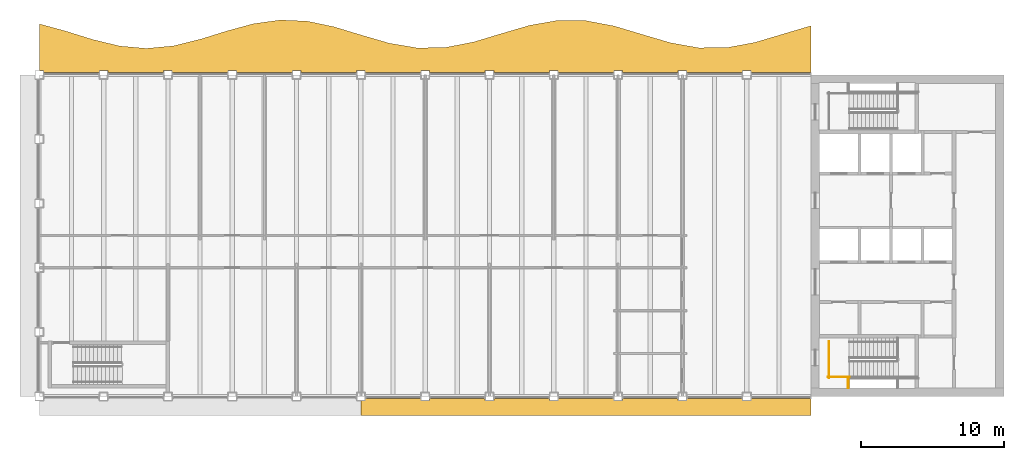
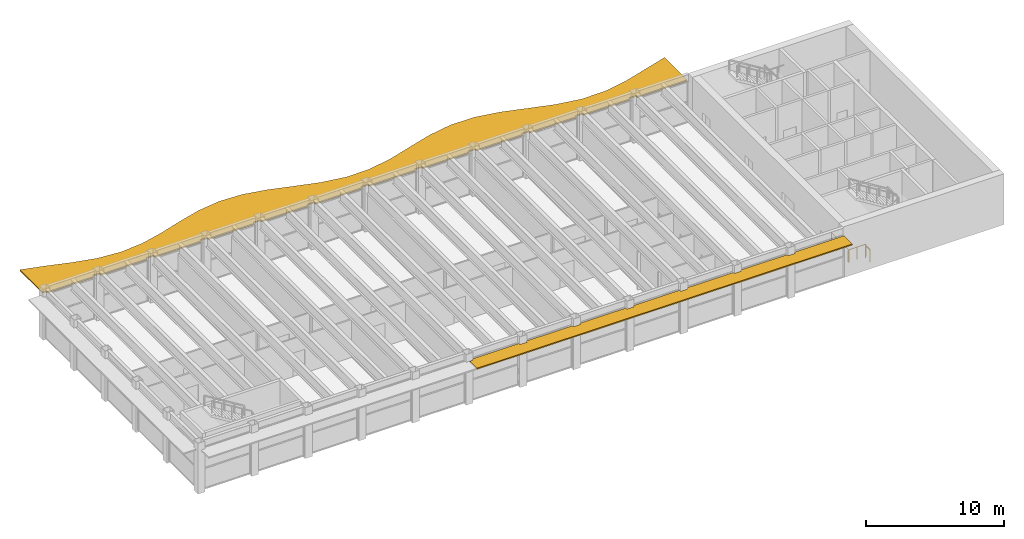
# One storey, part 13 of 14: 3 railings, 2 shading devices.
"""IFC4 building model written with IfcOpenShell, lengths in metres."""

from ifc_helpers import new_model, si_unit, direction, frame, origin, origin_2d, place, context, subcontext, project, spatial, polyline, rectangle, outline, extrude, material, layer, layer_set, type_object, element, save


model = new_model("IFC4")

# Units and contexts
model_context = context("Model", 3, precision=1e-05, world=origin(), true_north=direction((0.0, 1.0)))
body_context = subcontext(model_context, "Body", "Model", "MODEL_VIEW")
ifc_project = project(units=[si_unit("LENGTHUNIT", "METRE"), si_unit("AREAUNIT", "SQUARE_METRE"), si_unit("VOLUMEUNIT", "CUBIC_METRE"), si_unit("PLANEANGLEUNIT", "RADIAN"), si_unit("MASSUNIT", "GRAM", prefix="KILO")], contexts=[model_context])

# Site, building, storey
site_placement = place(None, origin())
site = spatial("IfcSite", under=ifc_project, at=site_placement, CompositionType="ELEMENT")
building_placement = place(site_placement, origin())
building = spatial("IfcBuilding", under=site, at=building_placement, Name="Sennacour Bend Tower", CompositionType="ELEMENT")
storey_placement = place(building_placement, frame((0.0, 0.0, 314.0)))
storey = spatial("IfcBuildingStorey", under=building, at=storey_placement, Name="L72", CompositionType="ELEMENT", Elevation=314.0)

# Railings
ifc_material_1 = material(Name="Stainless steel", Category="steel")
railing_type = type_object("IfcRailingType", Name="RL-GUARD-1100", PredefinedType="GUARDRAIL", material=ifc_material_1)
railing_1_placement = place(storey_placement, frame((55.199951171875, 1.35009765625, 0.0)))
element("IfcRailing", 1, at=railing_1_placement, inside=storey, type_object=railing_type, Name="L72 SA1 stair guard 6", PredefinedType="GUARDRAIL", context=body_context, shape_type="SweptSolid", body=[
    extrude(rectangle(XDim=0.048095703125, YDim=0.048095703125, at=origin_2d()), frame((0.0, 0.0, 1.076171875), z_axis=(1.0, 0.0, 0.0), x_axis=(0.0, 1.0, 0.0)), (0.0, 0.0, 1.0), 1.5),
    extrude(rectangle(XDim=0.0419921875, YDim=0.0419921875, at=origin_2d()), origin(), (0.0, 0.0, 1.0), 1.052001953125),
    extrude(rectangle(XDim=0.0419921875, YDim=0.0419921875, at=origin_2d()), frame((0.75, 0.0, 0.0)), (0.0, 0.0, 1.0), 1.052001953125),
    extrude(rectangle(XDim=0.0419921875, YDim=0.0419921875, at=origin_2d()), frame((1.5, 0.0, 0.0)), (0.0, 0.0, 1.0), 1.052001953125),
])
railing_2_placement = place(storey_placement, frame((55.25, 1.300048828125, 0.0)))
element("IfcRailing", 2, at=railing_2_placement, inside=storey, type_object=railing_type, Name="L72 SA1 stair guard 7", PredefinedType="GUARDRAIL", context=body_context, shape_type="SweptSolid", body=[
    extrude(rectangle(XDim=0.048095703125, YDim=0.048095703125, at=origin_2d()), frame((0.0, 0.0, 1.076171875), z_axis=(0.0, 1.0, 0.0), x_axis=(-1.0, 0.0, 0.0)), (0.0, 0.0, 1.0), 2.550048828125),
    extrude(rectangle(XDim=0.0419921875, YDim=0.0419921875, at=origin_2d()), origin(), (0.0, 0.0, 1.0), 1.052001953125),
    extrude(rectangle(XDim=0.0419921875, YDim=0.0419921875, at=origin_2d()), frame((0.0, 0.85009765625, 0.0)), (0.0, 0.0, 1.0), 1.052001953125),
    extrude(rectangle(XDim=0.0419921875, YDim=0.0419921875, at=origin_2d()), frame((0.0, 1.699951171875, 0.0)), (0.0, 0.0, 1.0), 1.052001953125),
    extrude(rectangle(XDim=0.0419921875, YDim=0.0419921875, at=origin_2d()), frame((0.0, 2.550048828125, 0.0)), (0.0, 0.0, 1.0), 1.052001953125),
])
railing_3_placement = place(storey_placement, frame((56.60009765625, 1.25, 0.0)))
element("IfcRailing", 3, at=railing_3_placement, inside=storey, type_object=railing_type, Name="L72 SA1 landing edge guard 159", PredefinedType="GUARDRAIL", context=body_context, shape_type="SweptSolid", body=[
    extrude(rectangle(XDim=0.048095703125, YDim=0.048095703125, at=origin_2d()), frame((0.0, 0.0, 1.076171875), z_axis=(0.0, -1.0, 0.0), x_axis=(1.0, 0.0, 0.0)), (0.0, 0.0, 1.0), 0.64990234375),
    extrude(rectangle(XDim=0.0419921875, YDim=0.0419921875, at=origin_2d()), origin(), (0.0, 0.0, 1.0), 1.052001953125),
    extrude(rectangle(XDim=0.0419921875, YDim=0.0419921875, at=origin_2d()), frame((0.0, -0.64990234375, 0.0)), (0.0, 0.0, 1.0), 1.052001953125),
])

# Shading devices
ifc_material_2 = material(Name="Bronze anodised aluminium", Category="aluminium")
ifc_layer_1 = layer(ifc_material_2, 0.10009765625, Name="Bronze anodised aluminium", Category="aluminium")
ifc_layer_set_1 = layer_set([ifc_layer_1], Name="Bronze anodised aluminium")
shading_device_type_1 = type_object("IfcShadingDeviceType", Name="SUNSHADE BAND STRAIGHT", PredefinedType="USERDEFINED", material=ifc_layer_set_1)
shading_device_1_placement = place(storey_placement, frame((0.0, 0.0, 3.572021484375)))
element("IfcShadingDevice", 4, at=shading_device_1_placement, inside=storey, type_object=shading_device_type_1, Name="Sunshade band L72 A outer face", ObjectType="SUNSHADE", PredefinedType="USERDEFINED", context=body_context, shape_type="SweptSolid", body=[
    extrude(outline(polyline([(26.699951171875, -0.14990234375), (26.699951171875, -0.300048828125), (27.300048828125, -0.300048828125), (27.300048828125, -0.14990234375), (31.199951171875, -0.14990234375), (31.199951171875, -0.300048828125), (31.800048828125, -0.300048828125), (31.800048828125, -0.14990234375), (35.699951171875, -0.14990234375), (35.699951171875, -0.300048828125), (36.300048828125, -0.300048828125), (36.300048828125, -0.14990234375), (40.199951171875, -0.14990234375), (40.199951171875, -0.300048828125), (40.800048828125, -0.300048828125), (40.800048828125, -0.14990234375), (44.699951171875, -0.14990234375), (44.699951171875, -0.300048828125), (45.300048828125, -0.300048828125), (45.300048828125, -0.14990234375), (49.199951171875, -0.14990234375), (49.199951171875, -0.300048828125), (49.800048828125, -0.300048828125), (49.800048828125, -0.14990234375), (54.0, -0.14990234375), (54.0, -1.35009765625), (22.5, -1.35009765625), (22.5, -0.300048828125), (22.800048828125, -0.300048828125), (22.800048828125, -0.14990234375), (26.699951171875, -0.14990234375)])), origin(), (0.0, 0.0, 1.0), 0.10009765625),
])
ifc_layer_2 = layer(ifc_material_2, 0.1201171875, Name="Bronze anodised aluminium", Category="aluminium")
ifc_layer_set_2 = layer_set([ifc_layer_2], Name="Bronze anodised aluminium")
shading_device_type_2 = type_object("IfcShadingDeviceType", Name="SUNSHADE BAND WAVE", PredefinedType="USERDEFINED", material=ifc_layer_set_2)
shading_device_2_placement = place(storey_placement, frame((0.0, 0.0, 3.552001953125)))
element("IfcShadingDevice", 5, at=shading_device_2_placement, inside=storey, type_object=shading_device_type_2, Name="Sunshade band L72 concave faces", ObjectType="SUNSHADE", PredefinedType="USERDEFINED", context=body_context, shape_type="SweptSolid", body=[
    extrude(outline(polyline([(54.0, 22.64990234375), (49.800048828125, 22.64990234375), (49.800048828125, 22.800048828125), (49.199951171875, 22.800048828125), (49.199951171875, 22.64990234375), (45.300048828125, 22.64990234375), (45.300048828125, 22.800048828125), (44.699951171875, 22.800048828125), (44.699951171875, 22.64990234375), (40.800048828125, 22.64990234375), (40.800048828125, 22.800048828125), (40.199951171875, 22.800048828125), (40.199951171875, 22.64990234375), (36.300048828125, 22.64990234375), (36.300048828125, 22.800048828125), (35.699951171875, 22.800048828125), (35.699951171875, 22.64990234375), (31.800048828125, 22.64990234375), (31.800048828125, 22.800048828125), (31.199951171875, 22.800048828125), (31.199951171875, 22.64990234375), (27.300048828125, 22.64990234375), (27.300048828125, 22.800048828125), (26.699951171875, 22.800048828125), (26.699951171875, 22.64990234375), (22.800048828125, 22.64990234375), (22.800048828125, 22.800048828125), (22.199951171875, 22.800048828125), (22.199951171875, 22.64990234375), (18.300048828125, 22.64990234375), (18.300048828125, 22.800048828125), (17.699951171875, 22.800048828125), (17.699951171875, 22.64990234375), (13.800048828125, 22.64990234375), (13.800048828125, 22.800048828125), (13.199951171875, 22.800048828125), (13.199951171875, 22.64990234375), (9.300048828125, 22.64990234375), (9.300048828125, 22.800048828125), (8.699951171875, 22.800048828125), (8.699951171875, 22.64990234375), (4.800048828125, 22.64990234375), (4.800048828125, 22.800048828125), (4.199951171875, 22.800048828125), (4.199951171875, 22.64990234375), (0.300048828125, 22.64990234375), (0.300048828125, 22.800048828125), (0.0, 22.800048828125), (0.0, 26.067138671875), (1.875, 25.55322265625), (3.75, 24.969482421875), (5.625, 24.5166015625), (7.5, 24.35009765625), (9.375, 24.527099609375), (11.25, 24.9873046875), (13.125, 25.572021484375), (15.0, 26.080322265625), (16.875, 26.337646484375), (18.75, 26.255615234375), (20.625, 25.8623046875), (22.5, 25.29296875), (24.46875, 24.7197265625), (26.4375, 24.384765625), (28.40625, 24.414306640625), (30.375, 24.79736328125), (32.34375, 25.389404296875), (34.3125, 25.96630859375), (36.28125, 26.310546875), (38.25, 26.291748046875), (40.21875, 25.91748046875), (42.1875, 25.32861328125), (44.15625, 24.747802734375), (46.125, 24.39453125), (48.09375, 24.40234375), (50.0625, 24.76806640625), (52.03125, 25.353515625), (54.0, 25.937744140625), (54.0, 22.64990234375)])), origin(), (0.0, 0.0, 1.0), 0.1201171875),
])

save(model, "model.ifc")
